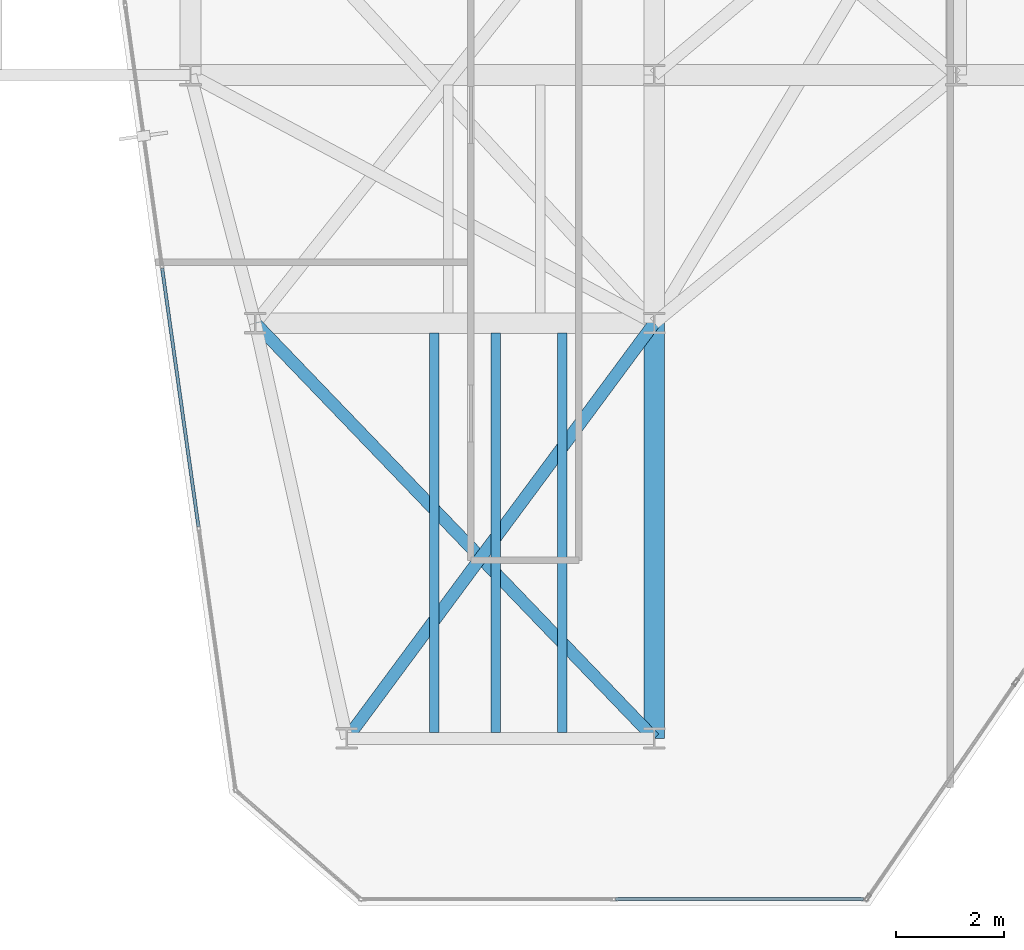
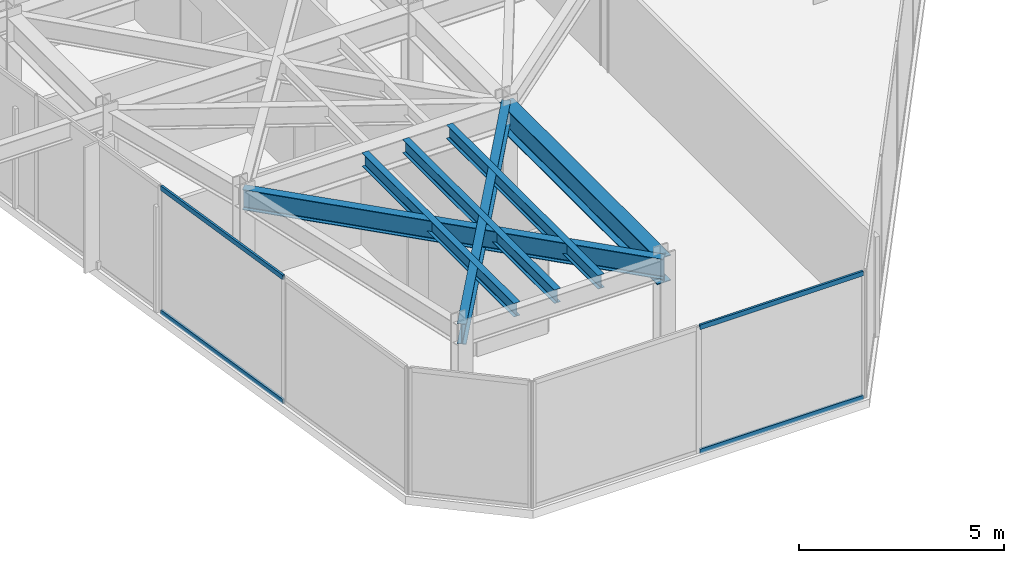
# One storey, part 3 of 26: 6 beams, 4 members, 2 elements without a shape of their own.
"""IFC4 building model written with IfcOpenShell, lengths in metres."""

from ifc_helpers import new_model, si_unit, direction, frame, origin, origin_2d, place, context, subcontext, project, spatial, hollow_rectangle, i_section, extrude, material, layer, layer_set, material_profile, profile_set, type_object, element, aggregate, save


model = new_model("IFC4")

# Units and contexts
model_context = context("Model", 3, precision=1e-05, world=origin(), true_north=direction((0.0, 1.0)))
body_context = subcontext(model_context, "Body", "Model", "MODEL_VIEW")
ifc_project = project(units=[si_unit("LENGTHUNIT", "METRE"), si_unit("AREAUNIT", "SQUARE_METRE"), si_unit("VOLUMEUNIT", "CUBIC_METRE"), si_unit("PLANEANGLEUNIT", "RADIAN"), si_unit("MASSUNIT", "GRAM", prefix="KILO")], contexts=[model_context])

# Site, building, storey
site_placement = place(None, origin())
site = spatial("IfcSite", under=ifc_project, at=site_placement, CompositionType="ELEMENT")
building_placement = place(site_placement, origin())
building = spatial("IfcBuilding", under=site, at=building_placement, Name="Kravanh Interchange Tower", CompositionType="ELEMENT")
storey_placement = place(building_placement, frame((0.0, 0.0, 212.5)))
storey = spatial("IfcBuildingStorey", under=building, at=storey_placement, Name="L51", CompositionType="ELEMENT", Elevation=212.5)

# Curtain wall, members
ifc_material_1 = material(Name="Anodised Bronze Aluminium", Category="aluminium")
ifc_layer = layer(ifc_material_1, 0.179931640625)
ifc_layer_set = layer_set([ifc_layer], Name="Unitised Curtain Wall System CW-Z3 Upper Office")
curtain_wall_type = type_object("IfcCurtainWallType", Name="Unitised Curtain Wall System CW-Z3 Upper Office", PredefinedType="NOTDEFINED", material=ifc_layer_set)
curtain_wall_1_placement = place(storey_placement, origin())
curtain_wall_1 = element("IfcCurtainWall", 1, at=curtain_wall_1_placement, inside=storey, type_object=curtain_wall_type, Name="L51 Unitised Curtain Wall CW-L51-01", PredefinedType="NOTDEFINED")
ifc_material_2 = material(Name="Anodised Bronze Aluminium", Category="aluminium")
ifc_material_profile_1 = material_profile(ifc_material_2, hollow_rectangle(XDim=0.06005859375, YDim=0.139892578125, WallThickness=0.00390625, at=origin_2d()), Name="ALU60X140X4")
ifc_profile_set_1 = profile_set([ifc_material_profile_1], Name="Anodised Bronze Aluminium")
member_type = type_object("IfcMemberType", Name="Curtain Wall Transom ALU60X140X4 Bronze", PredefinedType="USERDEFINED", material=ifc_profile_set_1)
member_1_placement = place(storey_placement, frame((18.748291015625, 18.42236328125, 0.030029296875), z_axis=(-0.139189127663, 0.990265816203, 0.0), x_axis=(-0.990265816203, -0.139189127663, 0.0)))
member_1 = element("IfcMember", 2, at=member_1_placement, type_object=member_type, Name="CW-Z3 transom 2.1", ObjectType="TRANSOM", PredefinedType="USERDEFINED", context=body_context, shape_type="SweptSolid", body=[
    extrude(hollow_rectangle(XDim=0.06005859375, YDim=0.139892578125, WallThickness=0.00390625, at=origin_2d()), origin(), (0.0, 0.0, 1.0), 4.83935546875),
])
member_2_placement = place(storey_placement, frame((18.748291015625, 18.42236328125, 3.72509765625), z_axis=(-0.139189127663, 0.990265816203, 0.0), x_axis=(-0.990265816203, -0.139189127663, 0.0)))
member_2 = element("IfcMember", 3, at=member_2_placement, type_object=member_type, Name="CW-Z3 transom 2.2", ObjectType="TRANSOM", PredefinedType="USERDEFINED", context=body_context, shape_type="SweptSolid", body=[
    extrude(hollow_rectangle(XDim=0.06005859375, YDim=0.139892578125, WallThickness=0.00390625, at=origin_2d()), origin(), (0.0, 0.0, 1.0), 4.83935546875),
])
aggregate(curtain_wall_1, [member_1, member_2])

curtain_wall_2_placement = place(storey_placement, origin())
curtain_wall_2 = element("IfcCurtainWall", 4, at=curtain_wall_2_placement, inside=storey, type_object=curtain_wall_type, Name="L51 Unitised Curtain Wall CW-L51-06", PredefinedType="NOTDEFINED")
member_3_placement = place(storey_placement, frame((31.076904296875, 11.52001953125, 0.030029296875), z_axis=(-1.0, 0.0, 0.0), x_axis=(0.0, -1.0, 0.0)))
member_3 = element("IfcMember", 5, at=member_3_placement, type_object=member_type, Name="CW-Z3 transom 1.1", ObjectType="TRANSOM", PredefinedType="USERDEFINED", context=body_context, shape_type="SweptSolid", body=[
    extrude(hollow_rectangle(XDim=0.06005859375, YDim=0.139892578125, WallThickness=0.00390625, at=origin_2d()), origin(), (0.0, 0.0, 1.0), 4.598876953125),
])
member_4_placement = place(storey_placement, frame((31.076904296875, 11.52001953125, 3.72509765625), z_axis=(-1.0, 0.0, 0.0), x_axis=(0.0, -1.0, 0.0)))
member_4 = element("IfcMember", 6, at=member_4_placement, type_object=member_type, Name="CW-Z3 transom 1.2", ObjectType="TRANSOM", PredefinedType="USERDEFINED", context=body_context, shape_type="SweptSolid", body=[
    extrude(hollow_rectangle(XDim=0.06005859375, YDim=0.139892578125, WallThickness=0.00390625, at=origin_2d()), origin(), (0.0, 0.0, 1.0), 4.598876953125),
])
aggregate(curtain_wall_2, [member_3, member_4])

# Beams
ifc_material_3 = material(Name="Structural Steel S355", Category="steel")
ifc_material_profile_2 = material_profile(ifc_material_3, i_section(OverallWidth=0.381103515625, OverallDepth=0.77294921875, WebThickness=0.0166015625, FlangeThickness=0.027099609375, FilletRadius=0.02490234375, at=origin_2d()), Name="W30X173")
ifc_profile_set_2 = profile_set([ifc_material_profile_2], Name="Structural Steel S355")
beam_type_1 = type_object("IfcBeamType", Name="Floor Beam W30X173 Structural Steel S355", PredefinedType="BEAM", material=ifc_profile_set_2)
beam_1_placement = place(storey_placement, frame((27.199951171875, 14.5, 3.368408203125), z_axis=(0.0, 1.0, 0.0), x_axis=(-1.0, 0.0, 0.0)))
element("IfcBeam", 7, at=beam_1_placement, inside=storey, type_object=beam_type_1, Name="L51 Primary Floor Girder 70", PredefinedType="BEAM", context=body_context, shape_type="SweptSolid", body=[
    extrude(i_section(OverallWidth=0.381103515625, OverallDepth=0.77294921875, WebThickness=0.0166015625, FlangeThickness=0.027099609375, FilletRadius=0.02490234375, at=origin_2d()), origin(), (0.0, 0.0, 1.0), 7.699951171875),
])
ifc_material_4 = material(Name="Structural Steel S355", Category="steel")
ifc_material_profile_3 = material_profile(ifc_material_4, i_section(OverallWidth=0.177978515625, OverallDepth=0.406005859375, WebThickness=0.0078125, FlangeThickness=0.0126953125, FilletRadius=0.01611328125, at=origin_2d()), Name="W16X40")
ifc_profile_set_3 = profile_set([ifc_material_profile_3], Name="Structural Steel S355")
beam_type_2 = type_object("IfcBeamType", Name="Floor Joist W16X40 Structural Steel S355", PredefinedType="JOIST", material=ifc_profile_set_3)
for number, where, z_axis, x_axis, name in (
    (8, (23.117919921875, 14.60888671875, 3.552001953125), (0.0, 1.0, 0.0), (-1.0, 0.0, 0.0), "L51 Secondary Floor Joist 1"),
    (9, (24.261962890625, 14.60888671875, 3.552001953125), (0.0, 1.0, 0.0), (-1.0, 0.0, 0.0), "L51 Secondary Floor Joist 2"),
    (10, (25.493896484375, 14.60888671875, 3.552001953125), (0.0, 1.0, 0.0), (-1.0, 0.0, 0.0), "L51 Secondary Floor Joist 3"),
):
    element("IfcBeam", number, at=place(storey_placement, frame(where, z_axis=z_axis, x_axis=x_axis)), inside=storey, type_object=beam_type_2, Name=name, PredefinedType="JOIST", context=body_context, shape_type="SweptSolid", body=[
        extrude(i_section(OverallWidth=0.177978515625, OverallDepth=0.406005859375, WebThickness=0.0078125, FlangeThickness=0.0126953125, FilletRadius=0.01611328125, at=origin_2d()), origin(), (0.0, 0.0, 1.0), 7.405517578125),
    ])
ifc_material_5 = material(Name="Structural Steel S355", Category="steel")
ifc_material_profile_4 = material_profile(ifc_material_5, i_section(OverallWidth=0.22802734375, OverallDepth=0.60791015625, WebThickness=0.01123046875, FlangeThickness=0.017333984375, FilletRadius=0.02197265625, at=origin_2d()), Name="W24X76")
ifc_profile_set_4 = profile_set([ifc_material_profile_4], Name="Structural Steel S355")
beam_type_3 = type_object("IfcBeamType", Name="Floor Spandrel W24X76 Structural Steel S355", PredefinedType="SPANDREL", material=ifc_profile_set_4)
beam_2_placement = place(storey_placement, frame((21.5, 14.5, 3.450927734375), z_axis=(0.59497703726, 0.803742698339, 0.0), x_axis=(-0.803742698339, 0.59497703726, 0.0)))
element("IfcBeam", 11, at=beam_2_placement, inside=storey, type_object=beam_type_3, Name="L51 Perimeter Spandrel 32", PredefinedType="SPANDREL", context=body_context, shape_type="SweptSolid", body=[
    extrude(i_section(OverallWidth=0.22802734375, OverallDepth=0.60791015625, WebThickness=0.01123046875, FlangeThickness=0.017333984375, FilletRadius=0.02197265625, at=origin_2d()), origin(), (0.0, 0.0, 1.0), 9.580078125),
])
beam_3_placement = place(storey_placement, frame((27.199951171875, 14.5, 3.450927734375), z_axis=(-0.692919091225, 0.721015348669, 0.0), x_axis=(-0.721015348669, -0.692919091225, 0.0)))
element("IfcBeam", 12, at=beam_3_placement, inside=storey, type_object=beam_type_3, Name="L51 Perimeter Spandrel 71", PredefinedType="SPANDREL", context=body_context, shape_type="SweptSolid", body=[
    extrude(i_section(OverallWidth=0.22802734375, OverallDepth=0.60791015625, WebThickness=0.01123046875, FlangeThickness=0.017333984375, FilletRadius=0.02197265625, at=origin_2d()), origin(), (0.0, 0.0, 1.0), 10.67919921875),
])

save(model, "model.ifc")
